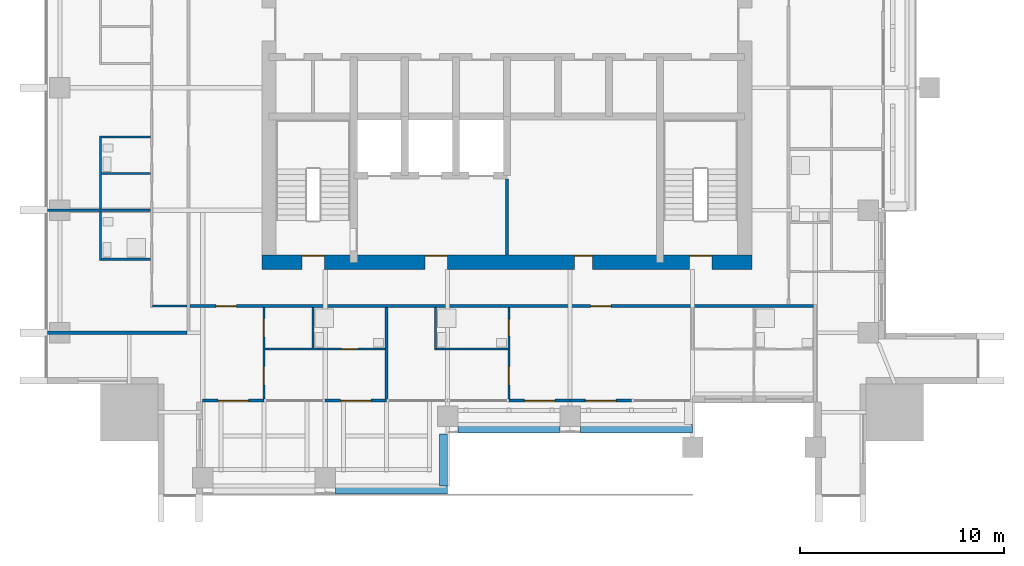
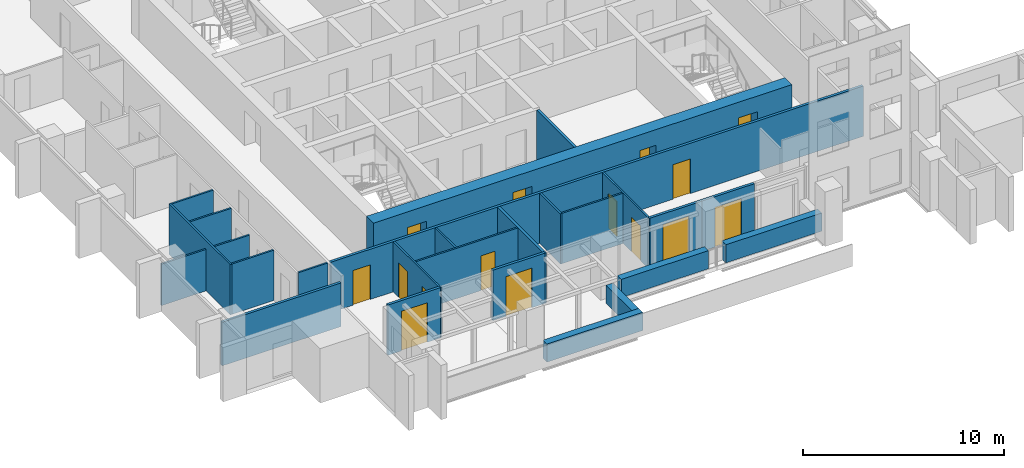
# One storey, part 8 of 16: 25 walls, 15 doors, 15 openings.
"""IFC4 building model written with IfcOpenShell, lengths in metres."""

from ifc_helpers import new_model, si_unit, direction, frame, frame_2d, origin, place, context, subcontext, project, spatial, rectangle, extrude, material, layer, layer_set, type_object, element, fill, save


model = new_model("IFC4")

# Units and contexts
model_context = context("Model", 3, precision=1e-05, world=origin(), true_north=direction((0.0, 1.0)))
body_context = subcontext(model_context, "Body", "Model", "MODEL_VIEW")
ifc_project = project(units=[si_unit("LENGTHUNIT", "METRE"), si_unit("AREAUNIT", "SQUARE_METRE"), si_unit("VOLUMEUNIT", "CUBIC_METRE"), si_unit("PLANEANGLEUNIT", "RADIAN"), si_unit("MASSUNIT", "GRAM", prefix="KILO")], contexts=[model_context])

# Site, building, storey
site_placement = place(None, origin())
site = spatial("IfcSite", under=ifc_project, at=site_placement, CompositionType="ELEMENT")
building_placement = place(site_placement, origin())
building = spatial("IfcBuilding", under=site, at=building_placement, Name="Amberfall Residences", CompositionType="ELEMENT")
storey_placement = place(building_placement, frame((0.0, 0.0, 164.800048828125)))
storey = spatial("IfcBuildingStorey", under=building, at=storey_placement, Name="L44", CompositionType="ELEMENT", Elevation=164.800048828125)

# Wall, openings, doors
ifc_material_1 = material(Name="Concrete C60", Category="concrete")
ifc_layer_1 = layer(ifc_material_1, 0.699951171875)
ifc_layer_set_1 = layer_set([ifc_layer_1], Name="Core wall 700 C60")
wall_type_1 = type_object("IfcWallType", Name="Core wall 700 C60", PredefinedType="SHEAR", material=ifc_layer_set_1)
wall_1_placement = place(storey_placement, frame((62.5, 33.85009765625, 0.0), z_axis=(0.0, 0.0, 1.0), x_axis=(1.0, 0.0, 0.0)))
wall_1 = element("IfcWall", 1, at=wall_1_placement, inside=storey, type_object=wall_type_1, Name="Core wall RW5 L44 OS", PredefinedType="SHEAR", context=body_context, shape_type="SweptSolid", body=[
    extrude(rectangle(XDim=24.0, YDim=0.699951171875, at=frame_2d((12.0, 0.0))), origin(), (0.0, 0.0, 1.0), 3.050048828125),
])
opening_1_placement = place(wall_1_placement, frame((1.96240234375, 0.0, 0.0)))
opening_1 = element("IfcOpeningElement", 2, at=opening_1_placement, cuts=wall_1, Name="Opening SD1", PredefinedType="OPENING", context=body_context, shape_type="SweptSolid", body=[
    extrude(rectangle(XDim=1.10009765625, YDim=2.10009765625, at=frame_2d((0.550048828125, 1.050048828125))), frame((0.0, 0.35986328125, 0.0), z_axis=(0.0, -1.0, 0.0), x_axis=(1.0, 0.0, 0.0)), (0.0, 0.0, 1.0), 0.719970703125),
])
opening_2_placement = place(wall_1_placement, frame((20.9375, 0.0, 0.0)))
opening_2 = element("IfcOpeningElement", 3, at=opening_2_placement, cuts=wall_1, Name="Opening SD1", PredefinedType="OPENING", context=body_context, shape_type="SweptSolid", body=[
    extrude(rectangle(XDim=1.10009765625, YDim=2.10009765625, at=frame_2d((0.550048828125, 1.050048828125))), frame((0.0, 0.35986328125, 0.0), z_axis=(0.0, -1.0, 0.0), x_axis=(1.0, 0.0, 0.0)), (0.0, 0.0, 1.0), 0.719970703125),
])
opening_3_placement = place(wall_1_placement, frame((8.0, 0.0, 0.0)))
opening_3 = element("IfcOpeningElement", 4, at=opening_3_placement, cuts=wall_1, Name="Opening FL1", PredefinedType="OPENING", context=body_context, shape_type="SweptSolid", body=[
    extrude(rectangle(XDim=1.10009765625, YDim=2.10009765625, at=frame_2d((0.550048828125, 1.050048828125))), frame((0.0, 0.35986328125, 0.0), z_axis=(0.0, -1.0, 0.0), x_axis=(1.0, 0.0, 0.0)), (0.0, 0.0, 1.0), 0.719970703125),
])
opening_4_placement = place(wall_1_placement, frame((15.300048828125, 0.0, 0.0)))
opening_4 = element("IfcOpeningElement", 5, at=opening_4_placement, cuts=wall_1, Name="Opening RD1", PredefinedType="OPENING", context=body_context, shape_type="SweptSolid", body=[
    extrude(rectangle(XDim=0.89990234375, YDim=2.10009765625, at=frame_2d((0.449951171875, 1.050048828125))), frame((0.0, 0.35986328125, 0.0), z_axis=(0.0, -1.0, 0.0), x_axis=(1.0, 0.0, 0.0)), (0.0, 0.0, 1.0), 0.719970703125),
])
ifc_material_2 = material(Name="Steel fire door set", Category="steel")
door_type_1 = type_object("IfcDoorType", Name="Firefighting lobby door 1100 x 2100", OperationType="SINGLE_SWING_LEFT", PredefinedType="DOOR", material=ifc_material_2)
door_1_placement = place(opening_3_placement, origin())
door_1 = element("IfcDoor", 6, at=door_1_placement, inside=storey, type_object=door_type_1, Name="FL1 L44", OperationType="SINGLE_SWING_LEFT", OverallHeight=2.10009765625, OverallWidth=1.10009765625, PredefinedType="DOOR", context=body_context, shape_type="SweptSolid", body=[
    extrude(rectangle(XDim=1.10009765625, YDim=2.10009765625, at=frame_2d((0.550048828125, 1.050048828125))), frame((0.0, 0.33740234375, 0.0), z_axis=(0.0, -1.0, 0.0), x_axis=(1.0, 0.0, 0.0)), (0.0, 0.0, 1.0), 0.050048828125),
])
fill(opening_3, door_1)
door_type_2 = type_object("IfcDoorType", Name="Service room door 900 x 2100", OperationType="SINGLE_SWING_LEFT", PredefinedType="DOOR", material=ifc_material_2)
door_2_placement = place(opening_4_placement, origin())
door_2 = element("IfcDoor", 7, at=door_2_placement, inside=storey, type_object=door_type_2, Name="RD1 L44", OperationType="SINGLE_SWING_LEFT", OverallHeight=2.10009765625, OverallWidth=0.89990234375, PredefinedType="DOOR", context=body_context, shape_type="SweptSolid", body=[
    extrude(rectangle(XDim=0.89990234375, YDim=2.10009765625, at=frame_2d((0.449951171875, 1.050048828125))), frame((0.0, 0.33740234375, 0.0), z_axis=(0.0, -1.0, 0.0), x_axis=(1.0, 0.0, 0.0)), (0.0, 0.0, 1.0), 0.050048828125),
])
fill(opening_4, door_2)
door_type_3 = type_object("IfcDoorType", Name="Stair door 1100 x 2100", OperationType="SINGLE_SWING_LEFT", PredefinedType="DOOR", material=ifc_material_2)
door_3_placement = place(opening_1_placement, origin())
door_3 = element("IfcDoor", 8, at=door_3_placement, inside=storey, type_object=door_type_3, Name="SD1 L44", OperationType="SINGLE_SWING_LEFT", OverallHeight=2.10009765625, OverallWidth=1.10009765625, PredefinedType="DOOR", context=body_context, shape_type="SweptSolid", body=[
    extrude(rectangle(XDim=1.10009765625, YDim=2.10009765625, at=frame_2d((0.550048828125, 1.050048828125))), frame((0.0, 0.33740234375, 0.0), z_axis=(0.0, -1.0, 0.0), x_axis=(1.0, 0.0, 0.0)), (0.0, 0.0, 1.0), 0.050048828125),
])
fill(opening_1, door_3)
door_4_placement = place(opening_2_placement, origin())
door_4 = element("IfcDoor", 9, at=door_4_placement, inside=storey, type_object=door_type_3, Name="SD1 L44", OperationType="SINGLE_SWING_RIGHT", OverallHeight=2.10009765625, OverallWidth=1.10009765625, PredefinedType="DOOR", context=body_context, shape_type="SweptSolid", body=[
    extrude(rectangle(XDim=1.10009765625, YDim=2.10009765625, at=frame_2d((0.550048828125, 1.050048828125))), frame((0.0, 0.33740234375, 0.0), z_axis=(0.0, -1.0, 0.0), x_axis=(1.0, 0.0, 0.0)), (0.0, 0.0, 1.0), 0.050048828125),
])
fill(opening_2, door_4)

# Wall
ifc_material_3 = material(Name="Gypsum board on metal stud")
ifc_layer_2 = layer(ifc_material_3, 0.10009765625)
ifc_layer_set_2 = layer_set([ifc_layer_2], Name="Flat partition 100")
wall_type_2 = type_object("IfcWallType", Name="Flat partition 100", PredefinedType="PARTITIONING", material=ifc_layer_set_2)
wall_2_placement = place(storey_placement, frame((54.60009765625, 33.949951171875, 0.0), z_axis=(0.0, 0.0, 1.0), x_axis=(0.0, 1.0, 0.0)))
element("IfcWall", 10, at=wall_2_placement, inside=storey, type_object=wall_type_2, Name="Partition 001", PredefinedType="PARTITIONING", context=body_context, shape_type="SweptSolid", body=[
    extrude(rectangle(XDim=6.10009765625, YDim=0.10009765625, at=frame_2d((3.050048828125, 0.0))), origin(), (0.0, 0.0, 1.0), 3.050048828125),
])

# Wall, openings, doors
wall_3_placement = place(storey_placement, frame((62.60009765625, 31.625, 0.0), z_axis=(0.0, 0.0, 1.0), x_axis=(0.0, -1.0, 0.0)))
wall_3 = element("IfcWall", 11, at=wall_3_placement, inside=storey, type_object=wall_type_2, Name="Partition 005", PredefinedType="PARTITIONING", context=body_context, shape_type="SweptSolid", body=[
    extrude(rectangle(XDim=4.625, YDim=0.10009765625, at=frame_2d((2.3125, 0.0))), origin(), (0.0, 0.0, 1.0), 3.050048828125),
])
opening_5_placement = place(wall_3_placement, frame((0.52490234375, 0.0, 0.0)))
opening_5 = element("IfcOpeningElement", 12, at=opening_5_placement, cuts=wall_3, Name="Opening D41", PredefinedType="OPENING", context=body_context, shape_type="SweptSolid", body=[
    extrude(rectangle(XDim=0.89990234375, YDim=2.10009765625, at=frame_2d((0.449951171875, 1.050048828125))), frame((0.0, 0.06005859375, 0.0), z_axis=(0.0, -1.0, 0.0), x_axis=(1.0, 0.0, 0.0)), (0.0, 0.0, 1.0), 0.1201171875),
])
opening_6_placement = place(wall_3_placement, frame((2.875, 0.0, 0.0)))
opening_6 = element("IfcOpeningElement", 13, at=opening_6_placement, cuts=wall_3, Name="Opening D41", PredefinedType="OPENING", context=body_context, shape_type="SweptSolid", body=[
    extrude(rectangle(XDim=0.89990234375, YDim=2.10009765625, at=frame_2d((0.449951171875, 1.050048828125))), frame((0.0, 0.06005859375, 0.0), z_axis=(0.0, -1.0, 0.0), x_axis=(1.0, 0.0, 0.0)), (0.0, 0.0, 1.0), 0.1201171875),
])
ifc_material_4 = material(Name="Timber", Category="wood")
door_type_4 = type_object("IfcDoorType", Name="Internal door 900 x 2100", OperationType="SINGLE_SWING_LEFT", PredefinedType="DOOR", material=ifc_material_4)
door_5_placement = place(opening_5_placement, origin())
door_5 = element("IfcDoor", 14, at=door_5_placement, inside=storey, type_object=door_type_4, Name="Door 4401 kitchen", OperationType="SINGLE_SWING_LEFT", OverallHeight=2.10009765625, OverallWidth=0.89990234375, PredefinedType="DOOR", context=body_context, shape_type="SweptSolid", body=[
    extrude(rectangle(XDim=0.89990234375, YDim=2.10009765625, at=frame_2d((0.449951171875, 1.050048828125))), frame((0.0, 0.02490234375, 0.0), z_axis=(0.0, -1.0, 0.0), x_axis=(1.0, 0.0, 0.0)), (0.0, 0.0, 1.0), 0.050048828125),
])
fill(opening_5, door_5)
door_6_placement = place(opening_6_placement, origin())
door_6 = element("IfcDoor", 15, at=door_6_placement, inside=storey, type_object=door_type_4, Name="Door 4401 bedroom1", OperationType="SINGLE_SWING_LEFT", OverallHeight=2.10009765625, OverallWidth=0.89990234375, PredefinedType="DOOR", context=body_context, shape_type="SweptSolid", body=[
    extrude(rectangle(XDim=0.89990234375, YDim=2.10009765625, at=frame_2d((0.449951171875, 1.050048828125))), frame((0.0, 0.02490234375, 0.0), z_axis=(0.0, -1.0, 0.0), x_axis=(1.0, 0.0, 0.0)), (0.0, 0.0, 1.0), 0.050048828125),
])
fill(opening_6, door_6)

# Walls
wall_4_placement = place(storey_placement, frame((65.0, 29.64990234375, 0.0), z_axis=(0.0, 0.0, 1.0), x_axis=(0.0, 1.0, 0.0)))
element("IfcWall", 16, at=wall_4_placement, inside=storey, type_object=wall_type_2, Name="Partition 007", PredefinedType="PARTITIONING", context=body_context, shape_type="SweptSolid", body=[
    extrude(rectangle(XDim=1.97509765625, YDim=0.10009765625, at=frame_2d((0.987548828125, 0.0))), origin(), (0.0, 0.0, 1.0), 3.050048828125),
])
wall_5_placement = place(storey_placement, frame((71.0, 29.550048828125, 0.0), z_axis=(0.0, 0.0, 1.0), x_axis=(0.0, 1.0, 0.0)))
element("IfcWall", 17, at=wall_5_placement, inside=storey, type_object=wall_type_2, Name="Partition 010", PredefinedType="PARTITIONING", context=body_context, shape_type="SweptSolid", body=[
    extrude(rectangle(XDim=2.074951171875, YDim=0.10009765625, at=frame_2d((1.03759765625, 0.0))), origin(), (0.0, 0.0, 1.0), 3.050048828125),
])

# Wall, openings, doors
wall_6_placement = place(storey_placement, frame((74.60009765625, 27.0, 0.0), z_axis=(0.0, 0.0, 1.0), x_axis=(0.0, 1.0, 0.0)))
wall_6 = element("IfcWall", 18, at=wall_6_placement, inside=storey, type_object=wall_type_2, Name="Partition 013", PredefinedType="PARTITIONING", context=body_context, shape_type="SweptSolid", body=[
    extrude(rectangle(XDim=4.625, YDim=0.10009765625, at=frame_2d((2.3125, 0.0))), origin(), (0.0, 0.0, 1.0), 3.050048828125),
])
opening_7_placement = place(wall_6_placement, frame((0.85009765625, 0.0, 0.0)))
opening_7 = element("IfcOpeningElement", 19, at=opening_7_placement, cuts=wall_6, Name="Opening D41", PredefinedType="OPENING", context=body_context, shape_type="SweptSolid", body=[
    extrude(rectangle(XDim=0.89990234375, YDim=2.10009765625, at=frame_2d((0.449951171875, 1.050048828125))), frame((0.0, 0.06005859375, 0.0), z_axis=(0.0, -1.0, 0.0), x_axis=(1.0, 0.0, 0.0)), (0.0, 0.0, 1.0), 0.1201171875),
])
opening_8_placement = place(wall_6_placement, frame((3.25, 0.0, 0.0)))
opening_8 = element("IfcOpeningElement", 20, at=opening_8_placement, cuts=wall_6, Name="Opening D42", PredefinedType="OPENING", context=body_context, shape_type="SweptSolid", body=[
    extrude(rectangle(XDim=0.800048828125, YDim=2.10009765625, at=frame_2d((0.39990234375, 1.050048828125))), frame((0.0, 0.06005859375, 0.0), z_axis=(0.0, -1.0, 0.0), x_axis=(1.0, 0.0, 0.0)), (0.0, 0.0, 1.0), 0.1201171875),
])
door_type_5 = type_object("IfcDoorType", Name="Bathroom door 800 x 2100", OperationType="SINGLE_SWING_LEFT", PredefinedType="DOOR", material=ifc_material_4)
door_7_placement = place(opening_8_placement, origin())
door_7 = element("IfcDoor", 21, at=door_7_placement, inside=storey, type_object=door_type_5, Name="Door 4402 bath1", OperationType="SINGLE_SWING_LEFT", OverallHeight=2.10009765625, OverallWidth=0.800048828125, PredefinedType="DOOR", context=body_context, shape_type="SweptSolid", body=[
    extrude(rectangle(XDim=0.800048828125, YDim=2.10009765625, at=frame_2d((0.39990234375, 1.050048828125))), frame((0.0, 0.02490234375, 0.0), z_axis=(0.0, -1.0, 0.0), x_axis=(1.0, 0.0, 0.0)), (0.0, 0.0, 1.0), 0.050048828125),
])
fill(opening_8, door_7)
door_8_placement = place(opening_7_placement, origin())
door_8 = element("IfcDoor", 22, at=door_8_placement, inside=storey, type_object=door_type_4, Name="Door 4402 bedroom1", OperationType="SINGLE_SWING_LEFT", OverallHeight=2.10009765625, OverallWidth=0.89990234375, PredefinedType="DOOR", context=body_context, shape_type="SweptSolid", body=[
    extrude(rectangle(XDim=0.89990234375, YDim=2.10009765625, at=frame_2d((0.449951171875, 1.050048828125))), frame((0.0, 0.02490234375, 0.0), z_axis=(0.0, -1.0, 0.0), x_axis=(1.0, 0.0, 0.0)), (0.0, 0.0, 1.0), 0.050048828125),
])
fill(opening_7, door_8)

# Walls
for number, where, z_axis, x_axis, name in (
    (23, (54.64990234375, 40.0, 0.0), (0.0, 0.0, 1.0), (1.0, 0.0, 0.0), "Partition 035"),
    (24, (54.64990234375, 38.199951171875, 0.0), (0.0, 0.0, 1.0), (1.0, 0.0, 0.0), "Partition 036"),
):
    element("IfcWall", number, at=place(storey_placement, frame(where, z_axis=z_axis, x_axis=x_axis)), inside=storey, type_object=wall_type_2, Name=name, PredefinedType="PARTITIONING", context=body_context, shape_type="SweptSolid", body=[
        extrude(rectangle(XDim=2.400146484375, YDim=0.10009765625, at=frame_2d((1.2001953125, 0.0))), origin(), (0.0, 0.0, 1.0), 3.050048828125),
    ])
wall_7_placement = place(storey_placement, frame((52.0, 36.39990234375, 0.0), z_axis=(0.0, 0.0, 1.0), x_axis=(1.0, 0.0, 0.0)))
element("IfcWall", 25, at=wall_7_placement, inside=storey, type_object=wall_type_2, Name="Partition 037", PredefinedType="PARTITIONING", context=body_context, shape_type="SweptSolid", body=[
    extrude(rectangle(XDim=5.050048828125, YDim=0.10009765625, at=frame_2d((2.52490234375, 0.0))), origin(), (0.0, 0.0, 1.0), 2.515869140625),
])
wall_8_placement = place(storey_placement, frame((54.64990234375, 34.0, 0.0), z_axis=(0.0, 0.0, 1.0), x_axis=(1.0, 0.0, 0.0)))
element("IfcWall", 26, at=wall_8_placement, inside=storey, type_object=wall_type_2, Name="Partition 039", PredefinedType="PARTITIONING", context=body_context, shape_type="SweptSolid", body=[
    extrude(rectangle(XDim=2.400146484375, YDim=0.10009765625, at=frame_2d((1.2001953125, 0.0))), origin(), (0.0, 0.0, 1.0), 3.050048828125),
])
wall_9_placement = place(storey_placement, frame((57.14990234375, 31.699951171875, 0.0), z_axis=(0.0, 0.0, 1.0), x_axis=(1.0, 0.0, 0.0)))
element("IfcWall", 27, at=wall_9_placement, inside=storey, type_object=wall_type_2, Name="Partition 041", PredefinedType="PARTITIONING", context=body_context, shape_type="SweptSolid", body=[
    extrude(rectangle(XDim=1.675048828125, YDim=0.10009765625, at=frame_2d((0.83740234375, 0.0))), origin(), (0.0, 0.0, 1.0), 3.050048828125),
])

# Wall, opening, door
wall_10_placement = place(storey_placement, frame((62.64990234375, 29.60009765625, 0.0), z_axis=(0.0, 0.0, 1.0), x_axis=(1.0, 0.0, 0.0)))
wall_10 = element("IfcWall", 28, at=wall_10_placement, inside=storey, type_object=wall_type_2, Name="Partition 042", PredefinedType="PARTITIONING", context=body_context, shape_type="SweptSolid", body=[
    extrude(rectangle(XDim=5.875, YDim=0.10009765625, at=frame_2d((2.9375, 0.0))), origin(), (0.0, 0.0, 1.0), 3.050048828125),
])
opening_9_placement = place(wall_10_placement, frame((3.75, 0.0, 0.0)))
opening_9 = element("IfcOpeningElement", 29, at=opening_9_placement, cuts=wall_10, Name="Opening D42", PredefinedType="OPENING", context=body_context, shape_type="SweptSolid", body=[
    extrude(rectangle(XDim=0.800048828125, YDim=2.10009765625, at=frame_2d((0.39990234375, 1.050048828125))), frame((0.0, 0.06005859375, 0.0), z_axis=(0.0, -1.0, 0.0), x_axis=(1.0, 0.0, 0.0)), (0.0, 0.0, 1.0), 0.1201171875),
])
door_9_placement = place(opening_9_placement, origin())
door_9 = element("IfcDoor", 30, at=door_9_placement, inside=storey, type_object=door_type_5, Name="Door 4401 bath1", OperationType="SINGLE_SWING_LEFT", OverallHeight=2.10009765625, OverallWidth=0.800048828125, PredefinedType="DOOR", context=body_context, shape_type="SweptSolid", body=[
    extrude(rectangle(XDim=0.800048828125, YDim=2.10009765625, at=frame_2d((0.39990234375, 1.050048828125))), frame((0.0, 0.02490234375, 0.0), z_axis=(0.0, -1.0, 0.0), x_axis=(1.0, 0.0, 0.0)), (0.0, 0.0, 1.0), 0.050048828125),
])
fill(opening_9, door_9)

# Walls
wall_11_placement = place(storey_placement, frame((71.050048828125, 29.60009765625, 0.0), z_axis=(0.0, 0.0, 1.0), x_axis=(1.0, 0.0, 0.0)))
element("IfcWall", 31, at=wall_11_placement, inside=storey, type_object=wall_type_2, Name="Partition 043", PredefinedType="PARTITIONING", context=body_context, shape_type="SweptSolid", body=[
    extrude(rectangle(XDim=3.5, YDim=0.10009765625, at=frame_2d((1.75, 0.0))), origin(), (0.0, 0.0, 1.0), 3.050048828125),
])
ifc_material_5 = material(Name="Blockwork, plastered", Category="masonry")
ifc_layer_3 = layer(ifc_material_5, 0.14990234375)
ifc_layer_set_3 = layer_set([ifc_layer_3], Name="Flat separating wall 150")
wall_type_3 = type_object("IfcWallType", Name="Flat separating wall 150", PredefinedType="PARTITIONING", material=ifc_layer_set_3)
wall_12_placement = place(storey_placement, frame((68.60009765625, 27.0, 0.0), z_axis=(0.0, 0.0, 1.0), x_axis=(0.0, 1.0, 0.0)))
element("IfcWall", 32, at=wall_12_placement, inside=storey, type_object=wall_type_3, Name="Separating wall 047", PredefinedType="PARTITIONING", context=body_context, shape_type="SweptSolid", body=[
    extrude(rectangle(XDim=4.625, YDim=0.14990234375, at=frame_2d((2.3125, 0.0))), origin(), (0.0, 0.0, 1.0), 3.050048828125),
])

# Wall, openings, doors
wall_13_placement = place(storey_placement, frame((89.52490234375, 31.699951171875, 0.0), z_axis=(0.0, 0.0, 1.0), x_axis=(-1.0, 0.0, 0.0)))
wall_13 = element("IfcWall", 33, at=wall_13_placement, inside=storey, type_object=wall_type_3, Name="Separating wall 056", PredefinedType="PARTITIONING", context=body_context, shape_type="SweptSolid", body=[
    extrude(rectangle(XDim=30.5498046875, YDim=0.14990234375, at=frame_2d((15.27490234375, 0.0))), origin(), (0.0, 0.0, 1.0), 3.050048828125),
])
opening_10_placement = place(wall_13_placement, frame((28.27490234375, 0.0, 0.0)))
opening_10 = element("IfcOpeningElement", 34, at=opening_10_placement, cuts=wall_13, Name="Opening D40", PredefinedType="OPENING", context=body_context, shape_type="SweptSolid", body=[
    extrude(rectangle(XDim=1.0, YDim=2.10009765625, at=frame_2d((0.5, 1.050048828125))), frame((0.0, 0.0849609375, 0.0), z_axis=(0.0, -1.0, 0.0), x_axis=(1.0, 0.0, 0.0)), (0.0, 0.0, 1.0), 0.169921875),
])
opening_11_placement = place(wall_13_placement, frame((9.925048828125, 0.0, 0.0)))
opening_11 = element("IfcOpeningElement", 35, at=opening_11_placement, cuts=wall_13, Name="Opening D40", PredefinedType="OPENING", context=body_context, shape_type="SweptSolid", body=[
    extrude(rectangle(XDim=1.0, YDim=2.10009765625, at=frame_2d((0.5, 1.050048828125))), frame((0.0, 0.0849609375, 0.0), z_axis=(0.0, -1.0, 0.0), x_axis=(1.0, 0.0, 0.0)), (0.0, 0.0, 1.0), 0.169921875),
])
ifc_material_6 = material(Name="Timber, fire-rated", Category="wood")
door_type_6 = type_object("IfcDoorType", Name="Flat entrance door FD60 1000 x 2100", OperationType="SINGLE_SWING_LEFT", PredefinedType="DOOR", material=ifc_material_6)
door_10_placement = place(opening_10_placement, origin())
door_10 = element("IfcDoor", 36, at=door_10_placement, inside=storey, type_object=door_type_6, Name="Door 4401 entrance", OperationType="SINGLE_SWING_LEFT", OverallHeight=2.10009765625, OverallWidth=1.0, PredefinedType="DOOR", context=body_context, shape_type="SweptSolid", body=[
    extrude(rectangle(XDim=1.0, YDim=2.10009765625, at=frame_2d((0.5, 1.050048828125))), frame((0.0, 0.02490234375, 0.0), z_axis=(0.0, -1.0, 0.0), x_axis=(1.0, 0.0, 0.0)), (0.0, 0.0, 1.0), 0.050048828125),
])
fill(opening_10, door_10)
door_11_placement = place(opening_11_placement, origin())
door_11 = element("IfcDoor", 37, at=door_11_placement, inside=storey, type_object=door_type_6, Name="Door 4402 entrance", OperationType="SINGLE_SWING_LEFT", OverallHeight=2.10009765625, OverallWidth=1.0, PredefinedType="DOOR", context=body_context, shape_type="SweptSolid", body=[
    extrude(rectangle(XDim=1.0, YDim=2.10009765625, at=frame_2d((0.5, 1.050048828125))), frame((0.0, 0.02490234375, 0.0), z_axis=(0.0, -1.0, 0.0), x_axis=(1.0, 0.0, 0.0)), (0.0, 0.0, 1.0), 0.050048828125),
])
fill(opening_11, door_11)

# Walls
wall_14_placement = place(storey_placement, frame((52.0, 30.39990234375, 0.0), z_axis=(0.0, 0.0, 1.0), x_axis=(1.0, 0.0, 0.0)))
element("IfcWall", 38, at=wall_14_placement, inside=storey, type_object=wall_type_3, Name="Separating wall 057", PredefinedType="PARTITIONING", context=body_context, shape_type="SweptSolid", body=[
    extrude(rectangle(XDim=6.824951171875, YDim=0.14990234375, at=frame_2d((3.41259765625, 0.0))), origin(), (0.0, 0.0, 1.0), 2.64697265625),
])
ifc_material_7 = material(Name="Concrete blockwork", Category="masonry")
ifc_layer_4 = layer(ifc_material_7, 0.14990234375)
ifc_layer_set_4 = layer_set([ifc_layer_4], Name="Riser wall 150")
wall_type_4 = type_object("IfcWallType", Name="Riser wall 150", PredefinedType="PLUMBINGWALL", material=ifc_layer_set_4)
wall_15_placement = place(storey_placement, frame((74.5, 34.199951171875, 0.0), z_axis=(0.0, 0.0, 1.0), x_axis=(0.0, 1.0, 0.0)))
element("IfcWall", 39, at=wall_15_placement, inside=storey, type_object=wall_type_4, Name="L44 core wall PX", PredefinedType="PLUMBINGWALL", context=body_context, shape_type="SweptSolid", body=[
    extrude(rectangle(XDim=3.72509765625, YDim=0.14990234375, at=frame_2d((1.862548828125, 0.0))), origin(), (0.0, 0.0, 1.0), 3.050048828125),
])

# Wall, opening, door
ifc_material_8 = material(Name="Pale stone cladding on insulated backing", Category="masonry")
ifc_layer_5 = layer(ifc_material_8, 0.14990234375)
ifc_layer_set_5 = layer_set([ifc_layer_5], Name="Terrace door infill wall 150")
wall_type_5 = type_object("IfcWallType", Name="Terrace door infill wall 150", PredefinedType="SOLIDWALL", material=ifc_layer_set_5)
wall_16_placement = place(storey_placement, frame((59.60009765625, 27.074951171875, 0.0), z_axis=(0.0, 0.0, 1.0), x_axis=(1.0, 0.0, 0.0)))
wall_16 = element("IfcWall", 40, at=wall_16_placement, inside=storey, type_object=wall_type_5, Name="Terrace door wall L44 S1", PredefinedType="SOLIDWALL", context=body_context, shape_type="SweptSolid", body=[
    extrude(rectangle(XDim=3.0, YDim=0.14990234375, at=frame_2d((1.5, 0.0))), origin(), (0.0, 0.0, 1.0), 3.050048828125),
])
opening_12_placement = place(wall_16_placement, frame((0.75, 0.0, 0.0)))
opening_12 = element("IfcOpeningElement", 41, at=opening_12_placement, cuts=wall_16, Name="Opening TD2", PredefinedType="OPENING", context=body_context, shape_type="SweptSolid", body=[
    extrude(rectangle(XDim=1.5, YDim=2.39990234375, at=frame_2d((0.75, 1.199951171875))), frame((0.0, 0.0849609375, 0.0), z_axis=(0.0, -1.0, 0.0), x_axis=(1.0, 0.0, 0.0)), (0.0, 0.0, 1.0), 0.169921875),
])
ifc_material_9 = material(Name="Bronze aluminium framed glazed door", Category="aluminium")
door_type_7 = type_object("IfcDoorType", Name="Terrace sliding door 1500 x 2400", OperationType="DOUBLE_DOOR_SLIDING", PredefinedType="DOOR", material=ifc_material_9)
door_12_placement = place(opening_12_placement, origin())
door_12 = element("IfcDoor", 42, at=door_12_placement, inside=storey, type_object=door_type_7, Name="Terrace door TD2", OperationType="DOUBLE_DOOR_SLIDING", OverallHeight=2.39990234375, OverallWidth=1.5, PredefinedType="DOOR", context=body_context, shape_type="SweptSolid", body=[
    extrude(rectangle(XDim=1.5, YDim=2.39990234375, at=frame_2d((0.75, 1.199951171875))), frame((0.0, 0.02490234375, 0.0), z_axis=(0.0, -1.0, 0.0), x_axis=(1.0, 0.0, 0.0)), (0.0, 0.0, 1.0), 0.050048828125),
])
fill(opening_12, door_12)

wall_17_placement = place(storey_placement, frame((65.60009765625, 27.074951171875, 0.0), z_axis=(0.0, 0.0, 1.0), x_axis=(1.0, 0.0, 0.0)))
wall_17 = element("IfcWall", 43, at=wall_17_placement, inside=storey, type_object=wall_type_5, Name="Terrace door wall L44 S2", PredefinedType="SOLIDWALL", context=body_context, shape_type="SweptSolid", body=[
    extrude(rectangle(XDim=3.0, YDim=0.14990234375, at=frame_2d((1.5, 0.0))), origin(), (0.0, 0.0, 1.0), 3.050048828125),
])
opening_13_placement = place(wall_17_placement, frame((0.75, 0.0, 0.0)))
opening_13 = element("IfcOpeningElement", 44, at=opening_13_placement, cuts=wall_17, Name="Opening TD2", PredefinedType="OPENING", context=body_context, shape_type="SweptSolid", body=[
    extrude(rectangle(XDim=1.5, YDim=2.39990234375, at=frame_2d((0.75, 1.199951171875))), frame((0.0, 0.0849609375, 0.0), z_axis=(0.0, -1.0, 0.0), x_axis=(1.0, 0.0, 0.0)), (0.0, 0.0, 1.0), 0.169921875),
])
door_13_placement = place(opening_13_placement, origin())
door_13 = element("IfcDoor", 45, at=door_13_placement, inside=storey, type_object=door_type_7, Name="Terrace door TD2", OperationType="DOUBLE_DOOR_SLIDING", OverallHeight=2.39990234375, OverallWidth=1.5, PredefinedType="DOOR", context=body_context, shape_type="SweptSolid", body=[
    extrude(rectangle(XDim=1.5, YDim=2.39990234375, at=frame_2d((0.75, 1.199951171875))), frame((0.0, 0.02490234375, 0.0), z_axis=(0.0, -1.0, 0.0), x_axis=(1.0, 0.0, 0.0)), (0.0, 0.0, 1.0), 0.050048828125),
])
fill(opening_13, door_13)

wall_18_placement = place(storey_placement, frame((74.60009765625, 27.074951171875, 0.0), z_axis=(0.0, 0.0, 1.0), x_axis=(1.0, 0.0, 0.0)))
wall_18 = element("IfcWall", 46, at=wall_18_placement, inside=storey, type_object=wall_type_5, Name="Terrace door wall L44 S3", PredefinedType="SOLIDWALL", context=body_context, shape_type="SweptSolid", body=[
    extrude(rectangle(XDim=3.0, YDim=0.14990234375, at=frame_2d((1.5, 0.0))), origin(), (0.0, 0.0, 1.0), 3.050048828125),
])
opening_14_placement = place(wall_18_placement, frame((0.75, 0.0, 0.0)))
opening_14 = element("IfcOpeningElement", 47, at=opening_14_placement, cuts=wall_18, Name="Opening TD2", PredefinedType="OPENING", context=body_context, shape_type="SweptSolid", body=[
    extrude(rectangle(XDim=1.5, YDim=2.39990234375, at=frame_2d((0.75, 1.199951171875))), frame((0.0, 0.0849609375, 0.0), z_axis=(0.0, -1.0, 0.0), x_axis=(1.0, 0.0, 0.0)), (0.0, 0.0, 1.0), 0.169921875),
])
door_14_placement = place(opening_14_placement, origin())
door_14 = element("IfcDoor", 48, at=door_14_placement, inside=storey, type_object=door_type_7, Name="Terrace door TD2", OperationType="DOUBLE_DOOR_SLIDING", OverallHeight=2.39990234375, OverallWidth=1.5, PredefinedType="DOOR", context=body_context, shape_type="SweptSolid", body=[
    extrude(rectangle(XDim=1.5, YDim=2.39990234375, at=frame_2d((0.75, 1.199951171875))), frame((0.0, 0.02490234375, 0.0), z_axis=(0.0, -1.0, 0.0), x_axis=(1.0, 0.0, 0.0)), (0.0, 0.0, 1.0), 0.050048828125),
])
fill(opening_14, door_14)

wall_19_placement = place(storey_placement, frame((77.60009765625, 27.074951171875, 0.0), z_axis=(0.0, 0.0, 1.0), x_axis=(1.0, 0.0, 0.0)))
wall_19 = element("IfcWall", 49, at=wall_19_placement, inside=storey, type_object=wall_type_5, Name="Terrace door wall L44 S4", PredefinedType="SOLIDWALL", context=body_context, shape_type="SweptSolid", body=[
    extrude(rectangle(XDim=3.0, YDim=0.14990234375, at=frame_2d((1.5, 0.0))), origin(), (0.0, 0.0, 1.0), 3.050048828125),
])
opening_15_placement = place(wall_19_placement, frame((0.75, 0.0, 0.0)))
opening_15 = element("IfcOpeningElement", 50, at=opening_15_placement, cuts=wall_19, Name="Opening TD2", PredefinedType="OPENING", context=body_context, shape_type="SweptSolid", body=[
    extrude(rectangle(XDim=1.5, YDim=2.39990234375, at=frame_2d((0.75, 1.199951171875))), frame((0.0, 0.0849609375, 0.0), z_axis=(0.0, -1.0, 0.0), x_axis=(1.0, 0.0, 0.0)), (0.0, 0.0, 1.0), 0.169921875),
])
door_15_placement = place(opening_15_placement, origin())
door_15 = element("IfcDoor", 51, at=door_15_placement, inside=storey, type_object=door_type_7, Name="Terrace door TD2", OperationType="DOUBLE_DOOR_SLIDING", OverallHeight=2.39990234375, OverallWidth=1.5, PredefinedType="DOOR", context=body_context, shape_type="SweptSolid", body=[
    extrude(rectangle(XDim=1.5, YDim=2.39990234375, at=frame_2d((0.75, 1.199951171875))), frame((0.0, 0.02490234375, 0.0), z_axis=(0.0, -1.0, 0.0), x_axis=(1.0, 0.0, 0.0)), (0.0, 0.0, 1.0), 0.050048828125),
])
fill(opening_15, door_15)

# Walls
ifc_material_10 = material(Name="Pale stone faced Concrete C40", Category="masonry")
ifc_layer_6 = layer(ifc_material_10, 0.39990234375)
ifc_layer_set_6 = layer_set([ifc_layer_6], Name="Terrace parapet wall 400")
wall_type_6 = type_object("IfcWallType", Name="Terrace parapet wall 400", PredefinedType="PARAPET", material=ifc_layer_set_6)
wall_20_placement = place(storey_placement, frame((66.10009765625, 22.699951171875, 0.030029296875), z_axis=(0.0, 0.0, 1.0), x_axis=(1.0, 0.0, 0.0)))
element("IfcWall", 52, at=wall_20_placement, inside=storey, type_object=wall_type_6, Name="Terrace parapet L44 S2", PredefinedType="PARAPET", context=body_context, shape_type="SweptSolid", body=[
    extrude(rectangle(XDim=5.5, YDim=0.39990234375, at=frame_2d((2.75, 0.0))), origin(), (0.0, 0.0, 1.0), 1.099853515625),
])
wall_21_placement = place(storey_placement, frame((71.39990234375, 22.89990234375, 0.030029296875), z_axis=(0.0, 0.0, 1.0), x_axis=(0.0, 1.0, 0.0)))
element("IfcWall", 53, at=wall_21_placement, inside=storey, type_object=wall_type_6, Name="Terrace parapet L44 S2 return", PredefinedType="PARAPET", context=body_context, shape_type="SweptSolid", body=[
    extrude(rectangle(XDim=2.550048828125, YDim=0.39990234375, at=frame_2d((1.27490234375, 0.0))), origin(), (0.0, 0.0, 1.0), 1.099853515625),
])
wall_22_placement = place(storey_placement, frame((72.10009765625, 25.699951171875, 0.030029296875), z_axis=(0.0, 0.0, 1.0), x_axis=(1.0, 0.0, 0.0)))
element("IfcWall", 54, at=wall_22_placement, inside=storey, type_object=wall_type_6, Name="Terrace parapet L44 S3", PredefinedType="PARAPET", context=body_context, shape_type="SweptSolid", body=[
    extrude(rectangle(XDim=5.0, YDim=0.39990234375, at=frame_2d((2.5, 0.0))), origin(), (0.0, 0.0, 1.0), 1.099853515625),
])
wall_23_placement = place(storey_placement, frame((78.10009765625, 25.699951171875, 0.030029296875), z_axis=(0.0, 0.0, 1.0), x_axis=(1.0, 0.0, 0.0)))
element("IfcWall", 55, at=wall_23_placement, inside=storey, type_object=wall_type_6, Name="Terrace parapet L44 S4", PredefinedType="PARAPET", context=body_context, shape_type="SweptSolid", body=[
    extrude(rectangle(XDim=5.5, YDim=0.39990234375, at=frame_2d((2.75, 0.0))), origin(), (0.0, 0.0, 1.0), 1.099853515625),
])

save(model, "model.ifc")
